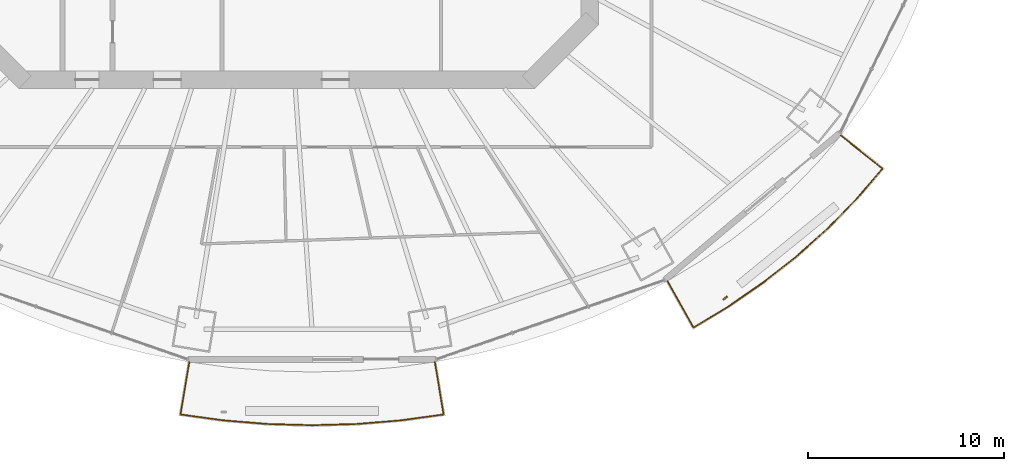
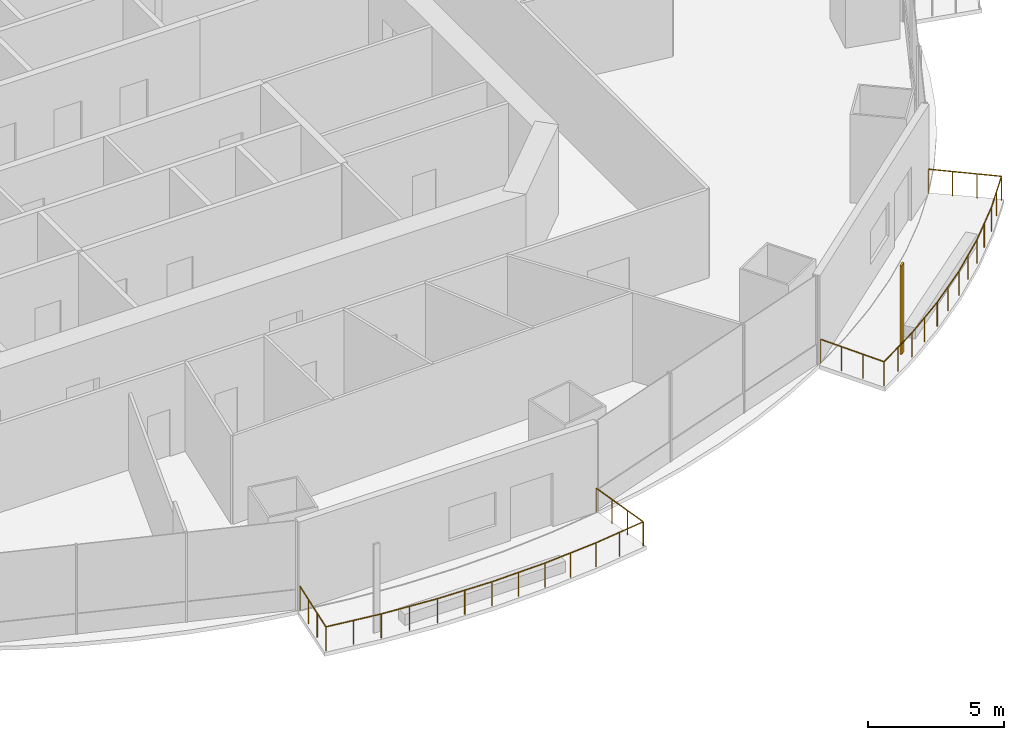
# One storey, part 16 of 20: 2 railings, 1 shading device.
"""IFC4 building model written with IfcOpenShell, lengths in metres."""

from ifc_helpers import new_model, si_unit, direction, frame, origin, origin_2d, place, context, subcontext, project, spatial, rectangle, circle, extrude, material, material_profile, profile_set, type_object, element, save


model = new_model("IFC4")

# Units and contexts
model_context = context("Model", 3, precision=1e-05, world=origin(), true_north=direction((0.0, 1.0)))
body_context = subcontext(model_context, "Body", "Model", "MODEL_VIEW")
ifc_project = project(units=[si_unit("LENGTHUNIT", "METRE"), si_unit("AREAUNIT", "SQUARE_METRE"), si_unit("VOLUMEUNIT", "CUBIC_METRE"), si_unit("PLANEANGLEUNIT", "RADIAN"), si_unit("MASSUNIT", "GRAM", prefix="KILO")], contexts=[model_context])

# Site, building, storey
site_placement = place(None, origin())
site = spatial("IfcSite", under=ifc_project, at=site_placement, CompositionType="ELEMENT")
building_placement = place(site_placement, origin())
building = spatial("IfcBuilding", under=site, at=building_placement, Name="Marenthal Gate Tower", CompositionType="ELEMENT")
storey_placement = place(building_placement, frame((0.0, 0.0, 181.800048828125)))
storey = spatial("IfcBuildingStorey", under=building, at=storey_placement, Name="L39", CompositionType="ELEMENT", Elevation=181.800048828125)

# Railings
ifc_material_1 = material(Name="Stainless steel", Category="steel")
railing_type = type_object("IfcRailingType", Name="Balcony guard 1100", PredefinedType="GUARDRAIL", material=ifc_material_1)
railing_1_placement = place(storey_placement, frame((8.07666015625, -27.433837890625, 0.0)))
element("IfcRailing", 1, at=railing_1_placement, inside=storey, type_object=railing_type, Name="Balcony guard L39 bay 12", PredefinedType="GUARDRAIL", context=body_context, shape_type="SweptSolid", body=[
    extrude(circle(Radius=0.02392578125, at=origin_2d()), frame((0.0, 0.0, 1.076171875), z_axis=(0.164788694753, -0.986219051168, -0.014719687331), x_axis=(0.986325910177, 0.164806549971, 0.0)), (0.0, 0.0, 1.0), 2.72021484375),
    extrude(circle(Radius=0.02392578125, at=origin_2d()), frame((0.4482421875, -2.6826171875, 1.0361328125), z_axis=(-0.990666259572, -0.136309802087, 0.0), x_axis=(0.136309802087, -0.990666259572, 0.0)), (0.0, 0.0, 1.0), 2.194091796875),
    extrude(circle(Radius=0.02392578125, at=origin_2d()), frame((-1.725341796875, -2.981689453125, 1.0361328125), z_axis=(-0.996600946848, -0.082380536185, 0.0), x_axis=(0.082380536185, -0.996600946848, 0.0)), (0.0, 0.0, 1.0), 2.279052734375),
    extrude(circle(Radius=0.02392578125, at=origin_2d()), frame((-3.99658203125, -3.16943359375, 1.0361328125), z_axis=(-0.999621567071, -0.027508592219, 0.0), x_axis=(0.027508592219, -0.999621567071, 0.0)), (0.0, 0.0, 1.0), 2.281005859375),
    extrude(circle(Radius=0.02392578125, at=origin_2d()), frame((-6.276611328125, -3.232177734375, 1.0361328125), z_axis=(-0.999621648056, 0.027505649202, 0.0), x_axis=(-0.027505649202, -0.999621648056, 0.0)), (0.0, 0.0, 1.0), 2.28125),
    extrude(circle(Radius=0.02392578125, at=origin_2d()), frame((-8.556884765625, -3.16943359375, 1.0361328125), z_axis=(-0.996600219709, 0.082389332289, 0.0), x_axis=(-0.082389332289, -0.996600219709, 0.0)), (0.0, 0.0, 1.0), 2.27880859375),
    extrude(circle(Radius=0.02392578125, at=origin_2d()), frame((-10.827880859375, -2.981689453125, 1.0361328125), z_axis=(-0.990666259572, 0.136309802087, 0.0), x_axis=(-0.136309802087, -0.990666259572, 0.0)), (0.0, 0.0, 1.0), 2.194091796875),
    extrude(circle(Radius=0.02392578125, at=origin_2d()), frame((-13.00146484375, -2.6826171875, 1.0361328125), z_axis=(0.164788694753, 0.986219051168, 0.014719687331), x_axis=(-0.986325910177, 0.164806549971, 0.0)), (0.0, 0.0, 1.0), 2.72021484375),
    extrude(circle(Radius=0.02099609375, at=origin_2d()), origin(), (0.0, 0.0, 1.0), 1.052001953125),
    extrude(circle(Radius=0.02099609375, at=origin_2d()), frame((0.1494140625, -0.894287109375, -0.013427734375)), (0.0, 0.0, 1.0), 1.052001953125),
    extrude(circle(Radius=0.02099609375, at=origin_2d()), frame((0.298828125, -1.788330078125, -0.026611328125)), (0.0, 0.0, 1.0), 1.052001953125),
    extrude(circle(Radius=0.02099609375, at=origin_2d()), frame((0.4482421875, -2.6826171875, -0.0400390625)), (0.0, 0.0, 1.0), 1.052001953125),
    extrude(circle(Radius=0.02099609375, at=origin_2d()), frame((-0.638671875, -2.83203125, -0.0400390625)), (0.0, 0.0, 1.0), 1.052001953125),
    extrude(circle(Radius=0.02099609375, at=origin_2d()), frame((-1.725341796875, -2.981689453125, -0.0400390625)), (0.0, 0.0, 1.0), 1.052001953125),
    extrude(circle(Radius=0.02099609375, at=origin_2d()), frame((-2.86083984375, -3.07568359375, -0.0400390625)), (0.0, 0.0, 1.0), 1.052001953125),
    extrude(circle(Radius=0.02099609375, at=origin_2d()), frame((-3.99658203125, -3.16943359375, -0.0400390625)), (0.0, 0.0, 1.0), 1.052001953125),
    extrude(circle(Radius=0.02099609375, at=origin_2d()), frame((-5.13671875, -3.20068359375, -0.0400390625)), (0.0, 0.0, 1.0), 1.052001953125),
    extrude(circle(Radius=0.02099609375, at=origin_2d()), frame((-6.276611328125, -3.232177734375, -0.0400390625)), (0.0, 0.0, 1.0), 1.052001953125),
    extrude(circle(Radius=0.02099609375, at=origin_2d()), frame((-7.416748046875, -3.20068359375, -0.0400390625)), (0.0, 0.0, 1.0), 1.052001953125),
    extrude(circle(Radius=0.02099609375, at=origin_2d()), frame((-8.556884765625, -3.16943359375, -0.0400390625)), (0.0, 0.0, 1.0), 1.052001953125),
    extrude(circle(Radius=0.02099609375, at=origin_2d()), frame((-9.6923828125, -3.07568359375, -0.0400390625)), (0.0, 0.0, 1.0), 1.052001953125),
    extrude(circle(Radius=0.02099609375, at=origin_2d()), frame((-10.827880859375, -2.981689453125, -0.0400390625)), (0.0, 0.0, 1.0), 1.052001953125),
    extrude(circle(Radius=0.02099609375, at=origin_2d()), frame((-11.91455078125, -2.83203125, -0.0400390625)), (0.0, 0.0, 1.0), 1.052001953125),
    extrude(circle(Radius=0.02099609375, at=origin_2d()), frame((-13.00146484375, -2.6826171875, -0.0400390625)), (0.0, 0.0, 1.0), 1.052001953125),
    extrude(circle(Radius=0.02099609375, at=origin_2d()), frame((-12.85205078125, -1.788330078125, -0.026611328125)), (0.0, 0.0, 1.0), 1.052001953125),
    extrude(circle(Radius=0.02099609375, at=origin_2d()), frame((-12.70263671875, -0.894287109375, -0.013427734375)), (0.0, 0.0, 1.0), 1.052001953125),
    extrude(circle(Radius=0.02099609375, at=origin_2d()), frame((-12.55322265625, 0.0, 0.0)), (0.0, 0.0, 1.0), 1.052001953125),
])
railing_2_placement = place(storey_placement, frame((28.8369140625, -15.855224609375, 0.0)))
element("IfcRailing", 2, at=railing_2_placement, inside=storey, type_object=railing_type, Name="Balcony guard L39 bay 14", PredefinedType="GUARDRAIL", context=body_context, shape_type="SweptSolid", body=[
    extrude(circle(Radius=0.02392578125, at=origin_2d()), frame((0.0, 0.0, 1.076171875), z_axis=(0.782619614183, -0.622326193205, -0.014718992744), x_axis=(0.622393617256, 0.78270440474, 0.0)), (0.0, 0.0, 1.0), 2.72021484375),
    extrude(circle(Radius=0.02392578125, at=origin_2d()), frame((2.12890625, -1.69287109375, 1.0361328125), z_axis=(-0.650183496944, -0.759777217546, 0.0), x_axis=(0.759777217546, -0.650183496944, 0.0)), (0.0, 0.0, 1.0), 2.018310546875),
    extrude(circle(Radius=0.02392578125, at=origin_2d()), frame((0.816650390625, -3.226318359375, 1.0361328125), z_axis=(-0.699042916959, -0.715079716011, 0.0), x_axis=(0.715079716011, -0.699042916959, 0.0)), (0.0, 0.0, 1.0), 2.1162109375),
    extrude(circle(Radius=0.02392578125, at=origin_2d()), frame((-0.66259765625, -4.739501953125, 1.0361328125), z_axis=(-0.74466355171, -0.66744003083, 0.0), x_axis=(0.66744003083, -0.74466355171, 0.0)), (0.0, 0.0, 1.0), 2.134033203125),
    extrude(circle(Radius=0.02392578125, at=origin_2d()), frame((-2.251708984375, -6.163818359375, 1.0361328125), z_axis=(-0.786129411557, -0.618061929167, 0.0), x_axis=(0.618061929167, -0.786129411557, 0.0)), (0.0, 0.0, 1.0), 2.15283203125),
    extrude(circle(Radius=0.02392578125, at=origin_2d()), frame((-3.944091796875, -7.494384765625, 1.0361328125), z_axis=(-0.823473734687, -0.567354393903, 0.0), x_axis=(0.567354393903, -0.823473734687, 0.0)), (0.0, 0.0, 1.0), 2.17041015625),
    extrude(circle(Radius=0.02392578125, at=origin_2d()), frame((-5.7314453125, -8.725830078125, 1.0361328125), z_axis=(-0.856264483042, -0.516537641494, 0.0), x_axis=(0.516537641494, -0.856264483042, 0.0)), (0.0, 0.0, 1.0), 2.1083984375),
    extrude(circle(Radius=0.02392578125, at=origin_2d()), frame((-7.536865234375, -9.81494140625, 1.0361328125), z_axis=(-0.489479334585, 0.871890673908, 0.014718483842), x_axis=(-0.871985129735, -0.489532362077, 0.0)), (0.0, 0.0, 1.0), 2.72021484375),
    extrude(circle(Radius=0.02099609375, at=origin_2d()), origin(), (0.0, 0.0, 1.0), 1.052001953125),
    extrude(circle(Radius=0.02099609375, at=origin_2d()), frame((0.709716796875, -0.564208984375, -0.013427734375)), (0.0, 0.0, 1.0), 1.052001953125),
    extrude(circle(Radius=0.02099609375, at=origin_2d()), frame((1.419189453125, -1.128662109375, -0.026611328125)), (0.0, 0.0, 1.0), 1.052001953125),
    extrude(circle(Radius=0.02099609375, at=origin_2d()), frame((2.12890625, -1.69287109375, -0.0400390625)), (0.0, 0.0, 1.0), 1.052001953125),
    extrude(circle(Radius=0.02099609375, at=origin_2d()), frame((1.47265625, -2.45947265625, -0.0400390625)), (0.0, 0.0, 1.0), 1.052001953125),
    extrude(circle(Radius=0.02099609375, at=origin_2d()), frame((0.816650390625, -3.226318359375, -0.0400390625)), (0.0, 0.0, 1.0), 1.052001953125),
    extrude(circle(Radius=0.02099609375, at=origin_2d()), frame((0.0771484375, -3.98291015625, -0.0400390625)), (0.0, 0.0, 1.0), 1.052001953125),
    extrude(circle(Radius=0.02099609375, at=origin_2d()), frame((-0.66259765625, -4.739501953125, -0.0400390625)), (0.0, 0.0, 1.0), 1.052001953125),
    extrude(circle(Radius=0.02099609375, at=origin_2d()), frame((-1.45703125, -5.45166015625, -0.0400390625)), (0.0, 0.0, 1.0), 1.052001953125),
    extrude(circle(Radius=0.02099609375, at=origin_2d()), frame((-2.251708984375, -6.163818359375, -0.0400390625)), (0.0, 0.0, 1.0), 1.052001953125),
    extrude(circle(Radius=0.02099609375, at=origin_2d()), frame((-3.097900390625, -6.8291015625, -0.0400390625)), (0.0, 0.0, 1.0), 1.052001953125),
    extrude(circle(Radius=0.02099609375, at=origin_2d()), frame((-3.944091796875, -7.494384765625, -0.0400390625)), (0.0, 0.0, 1.0), 1.052001953125),
    extrude(circle(Radius=0.02099609375, at=origin_2d()), frame((-4.837890625, -8.110107421875, -0.0400390625)), (0.0, 0.0, 1.0), 1.052001953125),
    extrude(circle(Radius=0.02099609375, at=origin_2d()), frame((-5.7314453125, -8.725830078125, -0.0400390625)), (0.0, 0.0, 1.0), 1.052001953125),
    extrude(circle(Radius=0.02099609375, at=origin_2d()), frame((-6.63427734375, -9.2705078125, -0.0400390625)), (0.0, 0.0, 1.0), 1.052001953125),
    extrude(circle(Radius=0.02099609375, at=origin_2d()), frame((-7.536865234375, -9.81494140625, -0.0400390625)), (0.0, 0.0, 1.0), 1.052001953125),
    extrude(circle(Radius=0.02099609375, at=origin_2d()), frame((-7.980712890625, -9.0244140625, -0.026611328125)), (0.0, 0.0, 1.0), 1.052001953125),
    extrude(circle(Radius=0.02099609375, at=origin_2d()), frame((-8.424560546875, -8.233642578125, -0.013427734375)), (0.0, 0.0, 1.0), 1.052001953125),
    extrude(circle(Radius=0.02099609375, at=origin_2d()), frame((-8.868408203125, -7.443115234375, 0.0)), (0.0, 0.0, 1.0), 1.052001953125),
])

# Shading device
ifc_material_2 = material(Name="Terracotta", Category="masonry")
ifc_material_profile = material_profile(ifc_material_2, rectangle(XDim=0.25, YDim=0.080078125, at=origin_2d()), Name="Terracotta baguette 250x80")
ifc_profile_set = profile_set([ifc_material_profile], Name="Terracotta")
shading_device_type = type_object("IfcShadingDeviceType", Name="Terracotta BAGUETTE SCREEN 250x80", PredefinedType="USERDEFINED", material=ifc_profile_set)
shading_device_placement = place(storey_placement, frame((22.927734375, -24.16455078125, -0.0400390625), z_axis=(0.0, 0.0, 1.0), x_axis=(0.765850387542, 0.643018805247, 0.0)))
element("IfcShadingDevice", 3, at=shading_device_placement, inside=storey, type_object=shading_device_type, Name="Terracotta BAGUETTE L39 bay 14L", ObjectType="BAGUETTE SCREEN", PredefinedType="USERDEFINED", context=body_context, shape_type="SweptSolid", body=[
    extrude(rectangle(XDim=0.25, YDim=0.080078125, at=origin_2d()), origin(), (0.0, 0.0, 1.0), 3.969970703125),
])

save(model, "model.ifc")
